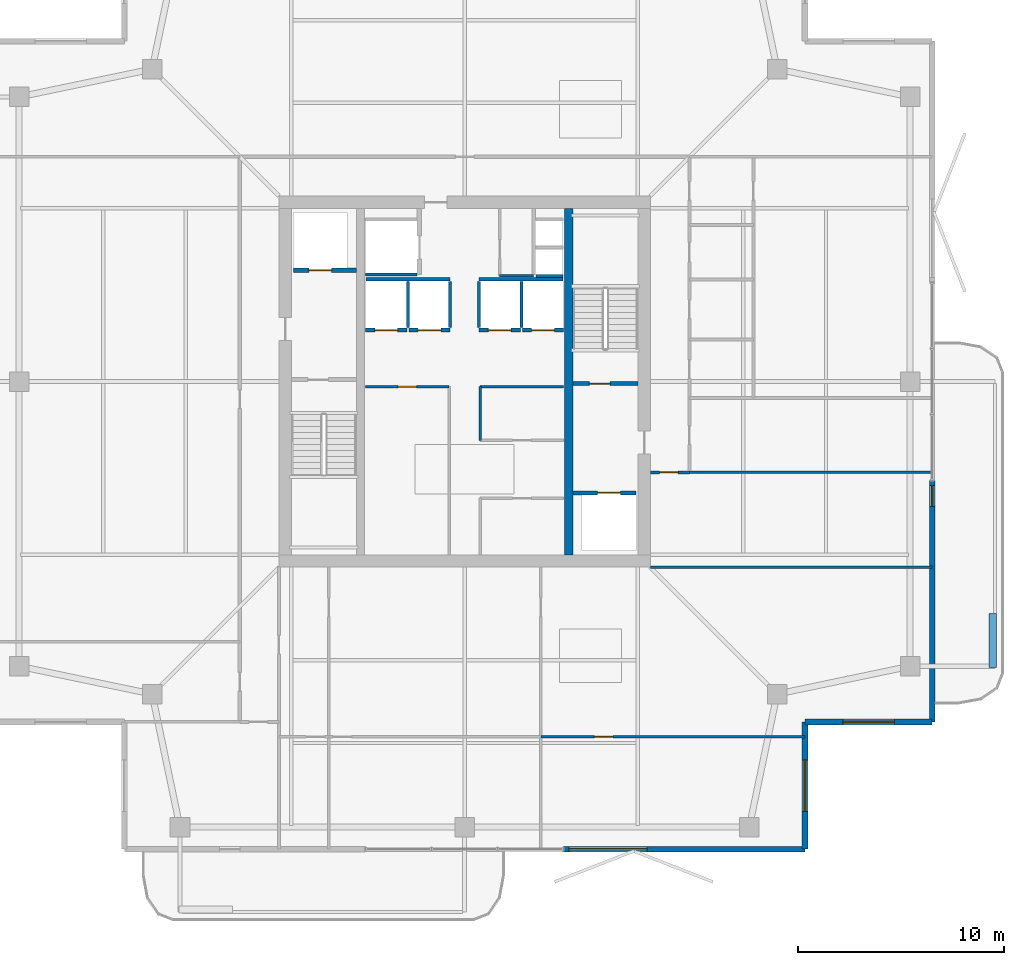
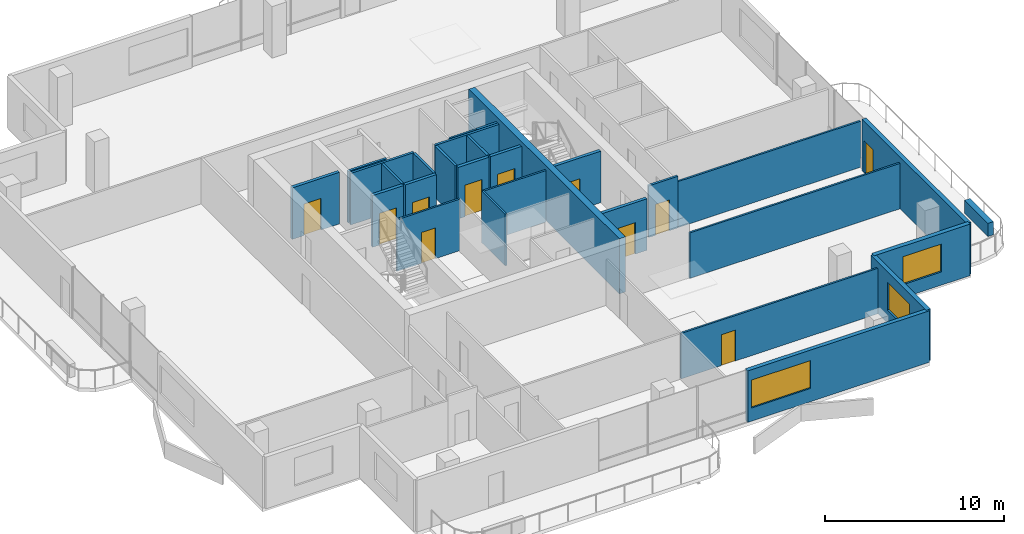
# One storey, part 13 of 17: 29 walls, 11 doors, 3 windows, 14 openings.
"""IFC4 building model written with IfcOpenShell, lengths in metres."""

from ifc_helpers import new_model, si_unit, direction, frame, frame_2d, origin, place, context, subcontext, project, spatial, rectangle, extrude, material, layer, layer_set, type_object, element, fill, save


model = new_model("IFC4")

# Units and contexts
model_context = context("Model", 3, precision=1e-05, world=origin(), true_north=direction((0.0, 1.0)))
body_context = subcontext(model_context, "Body", "Model", "MODEL_VIEW")
ifc_project = project(units=[si_unit("LENGTHUNIT", "METRE"), si_unit("AREAUNIT", "SQUARE_METRE"), si_unit("VOLUMEUNIT", "CUBIC_METRE"), si_unit("PLANEANGLEUNIT", "RADIAN"), si_unit("MASSUNIT", "GRAM", prefix="KILO")], contexts=[model_context])

# Site, building, storey
site_placement = place(None, origin())
site = spatial("IfcSite", under=ifc_project, at=site_placement, CompositionType="ELEMENT")
building_placement = place(site_placement, origin())
building = spatial("IfcBuilding", under=site, at=building_placement, Name="Belovzor Exchange Tower", CompositionType="ELEMENT")
storey_placement = place(building_placement, frame((0.0, 0.0, 325.5)))
storey = spatial("IfcBuildingStorey", under=building, at=storey_placement, Name="L81", CompositionType="ELEMENT", Elevation=325.5)

# Wall, opening, door
ifc_material_1 = material(Name="Acoustic Plasterboard on Galvanised Studs", Category="gypsum")
ifc_layer_1 = layer(ifc_material_1, 0.1201171875)
ifc_layer_set_1 = layer_set([ifc_layer_1], Name="Acoustic Plasterboard on Galvanised Studs")
wall_type_1 = type_object("IfcWallType", Name="Acoustic Double-Stud Partition Wall 120", PredefinedType="PARTITIONING", material=ifc_layer_set_1)
wall_1_placement = place(storey_placement, frame((32.498046875, 11.5791015625, 0.0), z_axis=(0.0, 0.0, 1.0), x_axis=(1.0, 0.0, 0.0)))
wall_1 = element("IfcWall", 1, at=wall_1_placement, inside=storey, type_object=wall_type_1, Name="W-P120 Partition Wall W-L81-SHDIV-2", PredefinedType="PARTITIONING", context=body_context, shape_type="SweptSolid", body=[
    extrude(rectangle(XDim=12.802001953125, YDim=0.1201171875, at=frame_2d((6.40087890625, 0.0))), origin(), (0.0, 0.0, 1.0), 3.094970703125),
])
opening_1_placement = place(wall_1_placement, frame((2.595947265625, 0.0, 0.0)))
opening_1 = element("IfcOpeningElement", 2, at=opening_1_placement, cuts=wall_1, Name="Opening D-INT-090", PredefinedType="OPENING", context=body_context, shape_type="SweptSolid", body=[
    extrude(rectangle(XDim=0.89990234375, YDim=2.10009765625, at=frame_2d((0.449951171875, 1.050048828125))), frame((0.0, 0.070068359375, 0.0), z_axis=(0.0, -1.0, 0.0), x_axis=(1.0, 0.0, 0.0)), (0.0, 0.0, 1.0), 0.14013671875),
])
ifc_material_2 = material(Name="Veneered Hardwood Acoustic Leaf", Category="wood")
door_type_1 = type_object("IfcDoorType", Name="Trading Suite Acoustic Single Door 900x2100", OperationType="NOTDEFINED", PredefinedType="DOOR", material=ifc_material_2)
door_1_placement = place(opening_1_placement, origin())
door_1 = element("IfcDoor", 3, at=door_1_placement, inside=storey, type_object=door_type_1, Name="D-INT-090 Trading Suite Acoustic Single Door 900x2100", OperationType="SINGLE_SWING_LEFT", OverallHeight=2.10009765625, OverallWidth=0.89990234375, PredefinedType="DOOR", context=body_context, shape_type="SweptSolid", body=[
    extrude(rectangle(XDim=0.89990234375, YDim=2.10009765625, at=frame_2d((0.449951171875, 1.050048828125))), frame((0.0, 0.02490234375, 0.0), z_axis=(0.0, -1.0, 0.0), x_axis=(1.0, 0.0, 0.0)), (0.0, 0.0, 1.0), 0.050048828125),
])
fill(opening_1, door_1)

# Walls
wall_2_placement = place(storey_placement, frame((37.800048828125, 19.800048828125, 0.0), z_axis=(0.0, 0.0, 1.0), x_axis=(1.0, 0.0, 0.0)))
element("IfcWall", 4, at=wall_2_placement, inside=storey, type_object=wall_type_1, Name="W-P120 Partition Wall W-L81-ESS", PredefinedType="PARTITIONING", context=body_context, shape_type="SweptSolid", body=[
    extrude(rectangle(XDim=13.669921875, YDim=0.1201171875, at=frame_2d((6.8349609375, 0.0))), origin(), (0.0, 0.0, 1.0), 3.094970703125),
])
wall_3_placement = place(storey_placement, frame((39.699951171875, 24.39990234375, 0.0), z_axis=(0.0, 0.0, 1.0), x_axis=(1.0, 0.0, 0.0)))
element("IfcWall", 5, at=wall_3_placement, inside=storey, type_object=wall_type_1, Name="W-P120 Partition Wall W-L81-ESN", PredefinedType="PARTITIONING", context=body_context, shape_type="SweptSolid", body=[
    extrude(rectangle(XDim=11.77001953125, YDim=0.1201171875, at=frame_2d((5.885009765625, 0.0))), origin(), (0.0, 0.0, 1.0), 3.135009765625),
])
ifc_material_3 = material(Name="Fire-Rated Plasterboard on Galvanised Studs", Category="gypsum")
ifc_layer_2 = layer(ifc_material_3, 0.1201171875)
ifc_layer_set_2 = layer_set([ifc_layer_2], Name="Fire-Rated Plasterboard on Galvanised Studs")
wall_type_2 = type_object("IfcWallType", Name="Fire-Rated Double-Stud Partition Wall 120", PredefinedType="PARTITIONING", material=ifc_layer_set_2)
wall_4_placement = place(storey_placement, frame((30.5, 33.925048828125, 0.0), z_axis=(0.0, 0.0, 1.0), x_axis=(1.0, 0.0, 0.0)))
element("IfcWall", 6, at=wall_4_placement, inside=storey, type_object=wall_type_2, Name="W-P120F Partition Wall W-CRV-L81-S", PredefinedType="PARTITIONING", context=body_context, shape_type="SweptSolid", body=[
    extrude(rectangle(XDim=1.64990234375, YDim=0.1201171875, at=frame_2d((0.824951171875, 0.0))), origin(), (0.0, 0.0, 1.0), 3.510009765625),
])

# Wall, opening, door
wall_5_placement = place(storey_placement, frame((24.0, 28.550048828125, 0.0), z_axis=(0.0, 0.0, 1.0), x_axis=(1.0, 0.0, 0.0)))
wall_5 = element("IfcWall", 7, at=wall_5_placement, inside=storey, type_object=wall_type_2, Name="W-P120F Partition Wall W-CRWB-L81-N", PredefinedType="PARTITIONING", context=body_context, shape_type="SweptSolid", body=[
    extrude(rectangle(XDim=4.050048828125, YDim=0.1201171875, at=frame_2d((2.02490234375, 0.0))), origin(), (0.0, 0.0, 1.0), 3.510009765625),
])
opening_2_placement = place(wall_5_placement, frame((1.574951171875, 0.0, 0.0)))
opening_2 = element("IfcOpeningElement", 8, at=opening_2_placement, cuts=wall_5, Name="Opening D-FD60-090", PredefinedType="OPENING", context=body_context, shape_type="SweptSolid", body=[
    extrude(rectangle(XDim=0.89990234375, YDim=2.10009765625, at=frame_2d((0.449951171875, 1.050048828125))), frame((0.0, 0.070068359375, 0.0), z_axis=(0.0, -1.0, 0.0), x_axis=(1.0, 0.0, 0.0)), (0.0, 0.0, 1.0), 0.14013671875),
])
ifc_material_4 = material(Name="Acoustic Timber Fire Leaf", Category="wood")
door_type_2 = type_object("IfcDoorType", Name="Core Service & Restroom Fire Door 900x2100", OperationType="NOTDEFINED", PredefinedType="DOOR", material=ifc_material_4)
door_2_placement = place(opening_2_placement, origin())
door_2 = element("IfcDoor", 9, at=door_2_placement, inside=storey, type_object=door_type_2, Name="D-FD60-090 Core Service & Restroom Fire Door 900x2100", OperationType="SINGLE_SWING_LEFT", OverallHeight=2.10009765625, OverallWidth=0.89990234375, PredefinedType="DOOR", context=body_context, shape_type="SweptSolid", body=[
    extrude(rectangle(XDim=0.89990234375, YDim=2.10009765625, at=frame_2d((0.449951171875, 1.050048828125))), frame((0.0, 0.02490234375, 0.0), z_axis=(0.0, -1.0, 0.0), x_axis=(1.0, 0.0, 0.0)), (0.0, 0.0, 1.0), 0.050048828125),
])
fill(opening_2, door_2)

# Walls
wall_6_placement = place(storey_placement, frame((29.550048828125, 28.550048828125, 0.0), z_axis=(0.0, 0.0, 1.0), x_axis=(1.0, 0.0, 0.0)))
element("IfcWall", 10, at=wall_6_placement, inside=storey, type_object=wall_type_2, Name="W-P120F Partition Wall W-CRM-L81-EN", PredefinedType="PARTITIONING", context=body_context, shape_type="SweptSolid", body=[
    extrude(rectangle(XDim=4.050048828125, YDim=0.1201171875, at=frame_2d((2.02490234375, 0.0))), origin(), (0.0, 0.0, 1.0), 3.510009765625),
])
wall_7_placement = place(storey_placement, frame((29.550048828125, 25.949951171875, 0.0), z_axis=(0.0, 0.0, 1.0), x_axis=(0.0, 1.0, 0.0)))
element("IfcWall", 11, at=wall_7_placement, inside=storey, type_object=wall_type_2, Name="W-P120F Partition Wall W-CRM-L81-EW", PredefinedType="PARTITIONING", context=body_context, shape_type="SweptSolid", body=[
    extrude(rectangle(XDim=2.60009765625, YDim=0.1201171875, at=frame_2d((1.300048828125, 0.0))), origin(), (0.0, 0.0, 1.0), 3.510009765625),
])

# Wall, opening, door
ifc_material_5 = material(Name="Fire-Rated Gypsum Block and Mineral Wool", Category="gypsum")
ifc_layer_3 = layer(ifc_material_5, 0.14990234375)
ifc_layer_set_3 = layer_set([ifc_layer_3], Name="Fire-Rated Gypsum Block and Mineral Wool")
wall_type_3 = type_object("IfcWallType", Name="Fire-Rated Gypsum Block Corridor Wall 150", PredefinedType="PARTITIONING", material=ifc_layer_set_3)
wall_8_placement = place(storey_placement, frame((37.800048828125, 24.39990234375, 0.0), z_axis=(0.0, 0.0, 1.0), x_axis=(1.0, 0.0, 0.0)))
wall_8 = element("IfcWall", 12, at=wall_8_placement, inside=storey, type_object=wall_type_3, Name="W-P150 Partition Wall W-L81-CE-END", PredefinedType="PARTITIONING", context=body_context, shape_type="SweptSolid", body=[
    extrude(rectangle(XDim=1.89990234375, YDim=0.14990234375, at=frame_2d((0.949951171875, 0.0))), origin(), (0.0, 0.0, 1.0), 3.510009765625),
])
opening_3_placement = place(wall_8_placement, frame((0.449951171875, 0.0, 0.0)))
opening_3 = element("IfcOpeningElement", 13, at=opening_3_placement, cuts=wall_8, Name="Opening D-FD60-090", PredefinedType="OPENING", context=body_context, shape_type="SweptSolid", body=[
    extrude(rectangle(XDim=0.89990234375, YDim=2.10009765625, at=frame_2d((0.449951171875, 1.050048828125))), frame((0.0, 0.0849609375, 0.0), z_axis=(0.0, -1.0, 0.0), x_axis=(1.0, 0.0, 0.0)), (0.0, 0.0, 1.0), 0.169921875),
])
door_3_placement = place(opening_3_placement, origin())
door_3 = element("IfcDoor", 14, at=door_3_placement, inside=storey, type_object=door_type_2, Name="D-FD60-090 Core Service & Restroom Fire Door 900x2100", OperationType="SINGLE_SWING_LEFT", OverallHeight=2.10009765625, OverallWidth=0.89990234375, PredefinedType="DOOR", context=body_context, shape_type="SweptSolid", body=[
    extrude(rectangle(XDim=0.89990234375, YDim=2.10009765625, at=frame_2d((0.449951171875, 1.050048828125))), frame((0.0, 0.02490234375, 0.0), z_axis=(0.0, -1.0, 0.0), x_axis=(1.0, 0.0, 0.0)), (0.0, 0.0, 1.0), 0.050048828125),
])
fill(opening_3, door_3)

# Wall, opening, window
ifc_material_6 = material(Name="Precast concrete C40/50", Category="concrete")
ifc_layer_4 = layer(ifc_material_6, 0.280029296875)
ifc_layer_set_4 = layer_set([ifc_layer_4], Name="Precast concrete C40/50")
wall_type_4 = type_object("IfcWallType", Name="Precast Concrete Notched Corner Frame Wall 280", PredefinedType="SOLIDWALL", material=ifc_layer_set_4)
wall_9_placement = place(storey_placement, frame((51.469970703125, 12.300048828125, 0.0), z_axis=(0.0, 0.0, 1.0), x_axis=(-1.0, 0.0, 0.0)))
wall_9 = element("IfcWall", 15, at=wall_9_placement, inside=storey, type_object=wall_type_4, Name="W-CRN280 Precast Concrete Notched Corner Frame Wall 280 L81", PredefinedType="SOLIDWALL", context=body_context, shape_type="SweptSolid", body=[
    extrude(rectangle(XDim=6.169921875, YDim=0.280029296875, at=frame_2d((3.0849609375, 0.0))), origin(), (0.0, 0.0, 1.0), 3.510009765625),
])
opening_4_placement = place(wall_9_placement, frame((1.8349609375, 0.0, 0.89990234375)))
opening_4 = element("IfcOpeningElement", 16, at=opening_4_placement, cuts=wall_9, Name="Opening WN-CRN250", PredefinedType="OPENING", context=body_context, shape_type="SweptSolid", body=[
    extrude(rectangle(XDim=2.5, YDim=1.89990234375, at=frame_2d((1.25, 0.949951171875))), frame((0.0, 0.14990234375, 0.0), z_axis=(0.0, -1.0, 0.0), x_axis=(1.0, 0.0, 0.0)), (0.0, 0.0, 1.0), 0.300048828125),
])
ifc_material_7 = material(Name="Thermally Broken Aluminium and Triple Glazing", Category="aluminium")
window_type_1 = type_object("IfcWindowType", Name="Streamline Moderne Corner Wrap Ribbon Window 2500x1900", PartitioningType="SINGLE_PANEL", PredefinedType="WINDOW", material=ifc_material_7)
window_1_placement = place(opening_4_placement, origin())
window_1 = element("IfcWindow", 17, at=window_1_placement, inside=storey, type_object=window_type_1, Name="WN-CRN250 Streamline Moderne Corner Wrap Ribbon Window 2500x1900", OverallHeight=1.89990234375, OverallWidth=2.5, PartitioningType="SINGLE_PANEL", PredefinedType="WINDOW", context=body_context, shape_type="SweptSolid", body=[
    extrude(rectangle(XDim=2.5, YDim=1.89990234375, at=frame_2d((1.25, 0.949951171875))), frame((0.0, 0.030029296875, 0.0), z_axis=(0.0, -1.0, 0.0), x_axis=(1.0, 0.0, 0.0)), (0.0, 0.0, 1.0), 0.06005859375),
])
fill(opening_4, window_1)

wall_10_placement = place(storey_placement, frame((45.300048828125, 12.300048828125, 0.0), z_axis=(0.0, 0.0, 1.0), x_axis=(0.0, -1.0, 0.0)))
wall_10 = element("IfcWall", 18, at=wall_10_placement, inside=storey, type_object=wall_type_4, Name="W-CRN280 Precast Concrete Notched Corner Frame Wall 280 L81", PredefinedType="SOLIDWALL", context=body_context, shape_type="SweptSolid", body=[
    extrude(rectangle(XDim=6.170166015625, YDim=0.280029296875, at=frame_2d((3.0849609375, 0.0))), origin(), (0.0, 0.0, 1.0), 3.510009765625),
])
opening_5_placement = place(wall_10_placement, frame((1.8349609375, 0.0, 0.89990234375)))
opening_5 = element("IfcOpeningElement", 19, at=opening_5_placement, cuts=wall_10, Name="Opening WN-CRN250", PredefinedType="OPENING", context=body_context, shape_type="SweptSolid", body=[
    extrude(rectangle(XDim=2.5, YDim=1.89990234375, at=frame_2d((1.25, 0.949951171875))), frame((0.0, 0.14990234375, 0.0), z_axis=(0.0, -1.0, 0.0), x_axis=(1.0, 0.0, 0.0)), (0.0, 0.0, 1.0), 0.300048828125),
])
window_2_placement = place(opening_5_placement, origin())
window_2 = element("IfcWindow", 20, at=window_2_placement, inside=storey, type_object=window_type_1, Name="WN-CRN250 Streamline Moderne Corner Wrap Ribbon Window 2500x1900", OverallHeight=1.89990234375, OverallWidth=2.5, PartitioningType="SINGLE_PANEL", PredefinedType="WINDOW", context=body_context, shape_type="SweptSolid", body=[
    extrude(rectangle(XDim=2.5, YDim=1.89990234375, at=frame_2d((1.25, 0.949951171875))), frame((0.0, 0.030029296875, 0.0), z_axis=(0.0, -1.0, 0.0), x_axis=(1.0, 0.0, 0.0)), (0.0, 0.0, 1.0), 0.06005859375),
])
fill(opening_5, window_2)

ifc_material_8 = material(Name="Precast concrete C40/50", Category="concrete")
ifc_layer_5 = layer(ifc_material_8, 0.260009765625)
ifc_layer_set_5 = layer_set([ifc_layer_5], Name="Precast concrete C40/50")
wall_type_5 = type_object("IfcWallType", Name="Precast Concrete Perimeter Loggia Frame Wall 260", PredefinedType="SOLIDWALL", material=ifc_layer_set_5)
wall_11_placement = place(storey_placement, frame((45.300048828125, 6.1298828125, 0.0), z_axis=(0.0, 0.0, 1.0), x_axis=(-1.0, 0.0, 0.0)))
wall_11 = element("IfcWall", 21, at=wall_11_placement, inside=storey, type_object=wall_type_5, Name="W-EXT260 Precast Concrete Perimeter Loggia Frame Wall 260 L81", PredefinedType="SOLIDWALL", context=body_context, shape_type="SweptSolid", body=[
    extrude(rectangle(XDim=11.699951171875, YDim=0.260009765625, at=frame_2d((5.85009765625, 0.0))), origin(), (0.0, 0.0, 1.0), 3.510009765625),
])
opening_6_placement = place(wall_11_placement, frame((7.64990234375, 0.0, 0.89990234375)))
opening_6 = element("IfcOpeningElement", 22, at=opening_6_placement, cuts=wall_11, Name="Opening WN-RIB380", PredefinedType="OPENING", context=body_context, shape_type="SweptSolid", body=[
    extrude(rectangle(XDim=3.800048828125, YDim=1.89990234375, at=frame_2d((1.89990234375, 0.949951171875))), frame((0.0, 0.139892578125, 0.0), z_axis=(0.0, -1.0, 0.0), x_axis=(1.0, 0.0, 0.0)), (0.0, 0.0, 1.0), 0.280029296875),
])
ifc_material_9 = material(Name="Thermally Broken Aluminium and Triple Glazing", Category="aluminium")
window_type_2 = type_object("IfcWindowType", Name="Streamline Moderne Horizontal Ribbon Window 3800x1900", PartitioningType="SINGLE_PANEL", PredefinedType="WINDOW", material=ifc_material_9)
window_3_placement = place(opening_6_placement, origin())
window_3 = element("IfcWindow", 23, at=window_3_placement, inside=storey, type_object=window_type_2, Name="WN-RIB380 Streamline Moderne Horizontal Ribbon Window 3800x1900", OverallHeight=1.89990234375, OverallWidth=3.800048828125, PartitioningType="SINGLE_PANEL", PredefinedType="WINDOW", context=body_context, shape_type="SweptSolid", body=[
    extrude(rectangle(XDim=3.800048828125, YDim=1.89990234375, at=frame_2d((1.89990234375, 0.949951171875))), frame((0.0, 0.030029296875, 0.0), z_axis=(0.0, -1.0, 0.0), x_axis=(1.0, 0.0, 0.0)), (0.0, 0.0, 1.0), 0.06005859375),
])
fill(opening_6, window_3)

# Wall, opening, door
wall_12_placement = place(storey_placement, frame((51.469970703125, 24.0, 0.0), z_axis=(0.0, 0.0, 1.0), x_axis=(0.0, -1.0, 0.0)))
wall_12 = element("IfcWall", 24, at=wall_12_placement, inside=storey, type_object=wall_type_5, Name="W-EXT260 Precast Concrete Perimeter Loggia Frame Wall 260 L81", PredefinedType="SOLIDWALL", context=body_context, shape_type="SweptSolid", body=[
    extrude(rectangle(XDim=11.699951171875, YDim=0.260009765625, at=frame_2d((5.85009765625, 0.0))), origin(), (0.0, 0.0, 1.0), 3.510009765625),
])
opening_7_placement = place(wall_12_placement, frame((0.25, 0.0, 0.0)))
opening_7 = element("IfcOpeningElement", 25, at=opening_7_placement, cuts=wall_12, Name="Opening D-BAL100", PredefinedType="OPENING", context=body_context, shape_type="SweptSolid", body=[
    extrude(rectangle(XDim=1.0, YDim=2.199951171875, at=frame_2d((0.5, 1.10009765625))), frame((0.0, 0.139892578125, 0.0), z_axis=(0.0, -1.0, 0.0), x_axis=(1.0, 0.0, 0.0)), (0.0, 0.0, 1.0), 0.280029296875),
])
ifc_material_10 = material(Name="Thermally Broken Anodised Aluminium and Laminated Glass", Category="aluminium")
door_type_3 = type_object("IfcDoorType", Name="Planted Loggia Terrace Glazed Door 1000x2200", OperationType="SINGLE_SWING_LEFT", PredefinedType="DOOR", material=ifc_material_10)
door_4_placement = place(opening_7_placement, origin())
door_4 = element("IfcDoor", 26, at=door_4_placement, inside=storey, type_object=door_type_3, Name="D-BAL100 Balcony Terrace Door L81 E", OperationType="SINGLE_SWING_LEFT", OverallHeight=2.199951171875, OverallWidth=1.0, PredefinedType="DOOR", context=body_context, shape_type="SweptSolid", body=[
    extrude(rectangle(XDim=1.0, YDim=2.199951171875, at=frame_2d((0.5, 1.10009765625))), frame((0.0, 0.02490234375, 0.0), z_axis=(0.0, -1.0, 0.0), x_axis=(1.0, 0.0, 0.0)), (0.0, 0.0, 1.0), 0.050048828125),
])
fill(opening_7, door_4)

# Walls
ifc_material_11 = material(Name="Precast concrete C40/50", Category="concrete")
ifc_layer_6 = layer(ifc_material_11, 0.35009765625)
ifc_layer_set_6 = layer_set([ifc_layer_6], Name="Precast concrete C40/50")
wall_type_6 = type_object("IfcWallType", Name="Precast Concrete Structural Tree Planter Trough 350", PredefinedType="PARAPET", material=ifc_layer_set_6)
wall_13_placement = place(storey_placement, frame((54.39990234375, 14.949951171875, 0.0), z_axis=(0.0, 0.0, 1.0), x_axis=(0.0, 1.0, 0.0)))
element("IfcWall", 27, at=wall_13_placement, inside=storey, type_object=wall_type_6, Name="PT-350 Precast Concrete Structural Tree Planter Trough 350 L81", PredefinedType="PARAPET", context=body_context, shape_type="SweptSolid", body=[
    extrude(rectangle(XDim=2.60009765625, YDim=0.35009765625, at=frame_2d((1.300048828125, 0.0))), origin(), (0.0, 0.0, 1.0), 0.89990234375),
])
ifc_material_12 = material(Name="Concrete C50/60", Category="concrete")
ifc_layer_7 = layer(ifc_material_12, 0.39990234375)
ifc_layer_set_7 = layer_set([ifc_layer_7], Name="Concrete C50/60")
wall_type_7 = type_object("IfcWallType", Name="Reinforced Concrete Core Internal Web Wall 400", PredefinedType="SHEAR", material=ifc_layer_set_7)
wall_14_placement = place(storey_placement, frame((33.85009765625, 20.39990234375, 0.0), z_axis=(0.0, 0.0, 1.0), x_axis=(0.0, 1.0, 0.0)))
element("IfcWall", 28, at=wall_14_placement, inside=storey, type_object=wall_type_7, Name="CW-W040 Core Internal Web Wall L81 ER", PredefinedType="SHEAR", context=body_context, shape_type="SweptSolid", body=[
    extrude(rectangle(XDim=16.800048828125, YDim=0.39990234375, at=frame_2d((8.39990234375, 0.0))), origin(), (0.0, 0.0, 1.0), 3.75),
])
ifc_material_13 = material(Name="Concrete C50/60", Category="concrete")
ifc_layer_8 = layer(ifc_material_13, 0.14990234375)
ifc_layer_set_8 = layer_set([ifc_layer_8], Name="Concrete C50/60")
wall_type_8 = type_object("IfcWallType", Name="Reinforced Concrete Core Riser Shear Wall 150", PredefinedType="SHEAR", material=ifc_layer_set_8)
wall_15_placement = place(storey_placement, frame((32.25, 33.925048828125, 0.0), z_axis=(0.0, 0.0, 1.0), x_axis=(1.0, 0.0, 0.0)))
element("IfcWall", 29, at=wall_15_placement, inside=storey, type_object=wall_type_8, Name="W-C150S Core Shaft Wall W-RSR-L81-S", PredefinedType="SHEAR", context=body_context, shape_type="SweptSolid", body=[
    extrude(rectangle(XDim=1.330078125, YDim=0.14990234375, at=frame_2d((0.6650390625, 0.0))), origin(), (0.0, 0.0, 1.0), 3.510009765625),
])
wall_16_placement = place(storey_placement, frame((24.0, 34.0, 0.0), z_axis=(0.0, 0.0, 1.0), x_axis=(1.0, 0.0, 0.0)))
element("IfcWall", 30, at=wall_16_placement, inside=storey, type_object=wall_type_8, Name="W-C150S Core Shaft Wall W-SH-L81-SL-01S", PredefinedType="SHEAR", context=body_context, shape_type="SweptSolid", body=[
    extrude(rectangle(XDim=2.47998046875, YDim=0.14990234375, at=frame_2d((1.239990234375, 0.0))), origin(), (0.0, 0.0, 1.0), 3.510009765625),
])
for number, where, z_axis, x_axis, name in (
    (31, (24.02001953125, 33.760009765625, 0.0), (0.0, 0.0, 1.0), (1.0, 0.0, 0.0), "W-C150S Core Shaft Wall W-SHB-L81-PLH-NW"),
    (32, (29.5, 33.760009765625, 0.0), (0.0, 0.0, 1.0), (1.0, 0.0, 0.0), "W-C150S Core Shaft Wall W-SHB-L81-PLH-NE"),
):
    element("IfcWall", number, at=place(storey_placement, frame(where, z_axis=z_axis, x_axis=x_axis)), inside=storey, type_object=wall_type_8, Name=name, PredefinedType="SHEAR", context=body_context, shape_type="SweptSolid", body=[
        extrude(rectangle(XDim=4.080078125, YDim=0.14990234375, at=frame_2d((2.0400390625, 0.0))), origin(), (0.0, 0.0, 1.0), 3.510009765625),
    ])
for number, where, z_axis, x_axis, name in (
    (33, (26.050048828125, 31.419921875, 0.0), (0.0, 0.0, 1.0), (0.0, 1.0, 0.0), "W-C150S Core Shaft Wall W-SHD-L81-PLH-1"),
    (34, (28.10009765625, 31.419921875, 0.0), (0.0, 0.0, 1.0), (0.0, 1.0, 0.0), "W-C150S Core Shaft Wall W-SHD-L81-PLH-2"),
    (35, (29.5, 31.419921875, 0.0), (0.0, 0.0, 1.0), (0.0, 1.0, 0.0), "W-C150S Core Shaft Wall W-SHD-L81-PLH-3"),
    (36, (31.550048828125, 31.419921875, 0.0), (0.0, 0.0, 1.0), (0.0, 1.0, 0.0), "W-C150S Core Shaft Wall W-SHD-L81-PLH-4"),
):
    element("IfcWall", number, at=place(storey_placement, frame(where, z_axis=z_axis, x_axis=x_axis)), inside=storey, type_object=wall_type_8, Name=name, PredefinedType="SHEAR", context=body_context, shape_type="SweptSolid", body=[
        extrude(rectangle(XDim=2.239990234375, YDim=0.14990234375, at=frame_2d((1.1201171875, 0.0))), origin(), (0.0, 0.0, 1.0), 3.510009765625),
    ])

# Wall, opening, door
ifc_material_14 = material(Name="Concrete C50/60", Category="concrete")
ifc_layer_9 = layer(ifc_material_14, 0.199951171875)
ifc_layer_set_9 = layer_set([ifc_layer_9], Name="Concrete C50/60")
wall_type_9 = type_object("IfcWallType", Name="Reinforced Concrete Core Shaft Shear Wall 200", PredefinedType="SHEAR", material=ifc_layer_set_9)
wall_17_placement = place(storey_placement, frame((34.050048828125, 28.699951171875, 0.0), z_axis=(0.0, 0.0, 1.0), x_axis=(1.0, 0.0, 0.0)))
wall_17 = element("IfcWall", 37, at=wall_17_placement, inside=storey, type_object=wall_type_9, Name="W-C200S Core Shaft Wall W-CORE-L81-FFLE2", PredefinedType="SHEAR", context=body_context, shape_type="SweptSolid", body=[
    extrude(rectangle(XDim=3.14990234375, YDim=0.199951171875, at=frame_2d((1.574951171875, 0.0))), origin(), (0.0, 0.0, 1.0), 3.510009765625),
])
opening_8_placement = place(wall_17_placement, frame((0.800048828125, 0.0, 0.0)))
opening_8 = element("IfcOpeningElement", 38, at=opening_8_placement, cuts=wall_17, Name="Opening D-FD90-100", PredefinedType="OPENING", context=body_context, shape_type="SweptSolid", body=[
    extrude(rectangle(XDim=1.0, YDim=2.10009765625, at=frame_2d((0.5, 1.050048828125))), frame((0.0, 0.10986328125, 0.0), z_axis=(0.0, -1.0, 0.0), x_axis=(1.0, 0.0, 0.0)), (0.0, 0.0, 1.0), 0.219970703125),
])
ifc_material_15 = material(Name="Fire-Rated Galvanised Steel Leaf", Category="steel")
door_type_4 = type_object("IfcDoorType", Name="Protected Stairwell Single Fire Door 1000x2100", OperationType="NOTDEFINED", PredefinedType="DOOR", material=ifc_material_15)
door_5_placement = place(opening_8_placement, origin())
door_5 = element("IfcDoor", 39, at=door_5_placement, inside=storey, type_object=door_type_4, Name="D-FD90-100 Protected Stairwell Single Fire Door 1000x2100", OperationType="SINGLE_SWING_LEFT", OverallHeight=2.10009765625, OverallWidth=1.0, PredefinedType="DOOR", context=body_context, shape_type="SweptSolid", body=[
    extrude(rectangle(XDim=1.0, YDim=2.10009765625, at=frame_2d((0.5, 1.050048828125))), frame((0.0, 0.02490234375, 0.0), z_axis=(0.0, -1.0, 0.0), x_axis=(1.0, 0.0, 0.0)), (0.0, 0.0, 1.0), 0.050048828125),
])
fill(opening_8, door_5)

wall_18_placement = place(storey_placement, frame((20.5, 34.199951171875, 0.0), z_axis=(0.0, 0.0, 1.0), x_axis=(1.0, 0.0, 0.0)))
wall_18 = element("IfcWall", 40, at=wall_18_placement, inside=storey, type_object=wall_type_9, Name="W-C200S Core Shaft Wall W-SH-L81-FFL-01", PredefinedType="SHEAR", context=body_context, shape_type="SweptSolid", body=[
    extrude(rectangle(XDim=3.050048828125, YDim=0.199951171875, at=frame_2d((1.52490234375, 0.0))), origin(), (0.0, 0.0, 1.0), 3.510009765625),
])
opening_9_placement = place(wall_18_placement, frame((0.75, 0.0, 0.0)))
opening_9 = element("IfcOpeningElement", 41, at=opening_9_placement, cuts=wall_18, Name="Opening LD-110", PredefinedType="OPENING", context=body_context, shape_type="SweptSolid", body=[
    extrude(rectangle(XDim=1.10009765625, YDim=2.14990234375, at=frame_2d((0.550048828125, 1.074951171875))), frame((0.0, 0.10986328125, 0.0), z_axis=(0.0, -1.0, 0.0), x_axis=(1.0, 0.0, 0.0)), (0.0, 0.0, 1.0), 0.219970703125),
])
ifc_material_16 = material(Name="Stainless Steel Grade 304", Category="steel")
door_type_5 = type_object("IfcDoorType", Name="Automated Stainless Steel Lift Landing Door 1100x2150", OperationType="SLIDING_TO_RIGHT", PredefinedType="DOOR", material=ifc_material_16)
door_6_placement = place(opening_9_placement, origin())
door_6 = element("IfcDoor", 42, at=door_6_placement, inside=storey, type_object=door_type_5, Name="LD-110 Automated Stainless Steel Lift Landing Door 1100x2150", OperationType="SLIDING_TO_RIGHT", OverallHeight=2.14990234375, OverallWidth=1.10009765625, PredefinedType="DOOR", context=body_context, shape_type="SweptSolid", body=[
    extrude(rectangle(XDim=1.10009765625, YDim=2.14990234375, at=frame_2d((0.550048828125, 1.074951171875))), frame((0.0, 0.02490234375, 0.0), z_axis=(0.0, -1.0, 0.0), x_axis=(1.0, 0.0, 0.0)), (0.0, 0.0, 1.0), 0.050048828125),
])
fill(opening_9, door_6)

wall_19_placement = place(storey_placement, frame((34.050048828125, 23.39990234375, 0.0), z_axis=(0.0, 0.0, 1.0), x_axis=(1.0, 0.0, 0.0)))
wall_19 = element("IfcWall", 43, at=wall_19_placement, inside=storey, type_object=wall_type_9, Name="W-C200S Core Shaft Wall W-SH-L81-FFL-02", PredefinedType="SHEAR", context=body_context, shape_type="SweptSolid", body=[
    extrude(rectangle(XDim=3.050048828125, YDim=0.199951171875, at=frame_2d((1.52490234375, 0.0))), origin(), (0.0, 0.0, 1.0), 3.510009765625),
])
opening_10_placement = place(wall_19_placement, frame((1.199951171875, 0.0, 0.0)))
opening_10 = element("IfcOpeningElement", 44, at=opening_10_placement, cuts=wall_19, Name="Opening LD-110", PredefinedType="OPENING", context=body_context, shape_type="SweptSolid", body=[
    extrude(rectangle(XDim=1.10009765625, YDim=2.14990234375, at=frame_2d((0.550048828125, 1.074951171875))), frame((0.0, 0.10986328125, 0.0), z_axis=(0.0, -1.0, 0.0), x_axis=(1.0, 0.0, 0.0)), (0.0, 0.0, 1.0), 0.219970703125),
])
door_7_placement = place(opening_10_placement, origin())
door_7 = element("IfcDoor", 45, at=door_7_placement, inside=storey, type_object=door_type_5, Name="LD-110 Automated Stainless Steel Lift Landing Door 1100x2150", OperationType="SLIDING_TO_RIGHT", OverallHeight=2.14990234375, OverallWidth=1.10009765625, PredefinedType="DOOR", context=body_context, shape_type="SweptSolid", body=[
    extrude(rectangle(XDim=1.10009765625, YDim=2.14990234375, at=frame_2d((0.550048828125, 1.074951171875))), frame((0.0, 0.02490234375, 0.0), z_axis=(0.0, -1.0, 0.0), x_axis=(1.0, 0.0, 0.0)), (0.0, 0.0, 1.0), 0.050048828125),
])
fill(opening_10, door_7)

wall_20_placement = place(storey_placement, frame((24.0, 31.300048828125, 0.0), z_axis=(0.0, 0.0, 1.0), x_axis=(1.0, 0.0, 0.0)))
wall_20 = element("IfcWall", 46, at=wall_20_placement, inside=storey, type_object=wall_type_9, Name="W-C200S Core Shaft Wall W-SH-L81-PL-H1", PredefinedType="SHEAR", context=body_context, shape_type="SweptSolid", body=[
    extrude(rectangle(XDim=2.0, YDim=0.199951171875, at=frame_2d((1.0, 0.0))), origin(), (0.0, 0.0, 1.0), 3.510009765625),
])
opening_11_placement = place(wall_20_placement, frame((0.449951171875, 0.0, 0.0)))
opening_11 = element("IfcOpeningElement", 47, at=opening_11_placement, cuts=wall_20, Name="Opening LD-110", PredefinedType="OPENING", context=body_context, shape_type="SweptSolid", body=[
    extrude(rectangle(XDim=1.10009765625, YDim=2.14990234375, at=frame_2d((0.550048828125, 1.074951171875))), frame((0.0, 0.10986328125, 0.0), z_axis=(0.0, -1.0, 0.0), x_axis=(1.0, 0.0, 0.0)), (0.0, 0.0, 1.0), 0.219970703125),
])
door_8_placement = place(opening_11_placement, origin())
door_8 = element("IfcDoor", 48, at=door_8_placement, inside=storey, type_object=door_type_5, Name="LD-110 Automated Stainless Steel Lift Landing Door 1100x2150", OperationType="SLIDING_TO_RIGHT", OverallHeight=2.14990234375, OverallWidth=1.10009765625, PredefinedType="DOOR", context=body_context, shape_type="SweptSolid", body=[
    extrude(rectangle(XDim=1.10009765625, YDim=2.14990234375, at=frame_2d((0.550048828125, 1.074951171875))), frame((0.0, 0.02490234375, 0.0), z_axis=(0.0, -1.0, 0.0), x_axis=(1.0, 0.0, 0.0)), (0.0, 0.0, 1.0), 0.050048828125),
])
fill(opening_11, door_8)

wall_21_placement = place(storey_placement, frame((26.10009765625, 31.300048828125, 0.0), z_axis=(0.0, 0.0, 1.0), x_axis=(1.0, 0.0, 0.0)))
wall_21 = element("IfcWall", 49, at=wall_21_placement, inside=storey, type_object=wall_type_9, Name="W-C200S Core Shaft Wall W-SH-L81-PL-H2", PredefinedType="SHEAR", context=body_context, shape_type="SweptSolid", body=[
    extrude(rectangle(XDim=2.0, YDim=0.199951171875, at=frame_2d((1.0, 0.0))), origin(), (0.0, 0.0, 1.0), 3.510009765625),
])
opening_12_placement = place(wall_21_placement, frame((0.449951171875, 0.0, 0.0)))
opening_12 = element("IfcOpeningElement", 50, at=opening_12_placement, cuts=wall_21, Name="Opening LD-110", PredefinedType="OPENING", context=body_context, shape_type="SweptSolid", body=[
    extrude(rectangle(XDim=1.10009765625, YDim=2.14990234375, at=frame_2d((0.550048828125, 1.074951171875))), frame((0.0, 0.10986328125, 0.0), z_axis=(0.0, -1.0, 0.0), x_axis=(1.0, 0.0, 0.0)), (0.0, 0.0, 1.0), 0.219970703125),
])
door_9_placement = place(opening_12_placement, origin())
door_9 = element("IfcDoor", 51, at=door_9_placement, inside=storey, type_object=door_type_5, Name="LD-110 Automated Stainless Steel Lift Landing Door 1100x2150", OperationType="SLIDING_TO_RIGHT", OverallHeight=2.14990234375, OverallWidth=1.10009765625, PredefinedType="DOOR", context=body_context, shape_type="SweptSolid", body=[
    extrude(rectangle(XDim=1.10009765625, YDim=2.14990234375, at=frame_2d((0.550048828125, 1.074951171875))), frame((0.0, 0.02490234375, 0.0), z_axis=(0.0, -1.0, 0.0), x_axis=(1.0, 0.0, 0.0)), (0.0, 0.0, 1.0), 0.050048828125),
])
fill(opening_12, door_9)

wall_22_placement = place(storey_placement, frame((29.5, 31.300048828125, 0.0), z_axis=(0.0, 0.0, 1.0), x_axis=(1.0, 0.0, 0.0)))
wall_22 = element("IfcWall", 52, at=wall_22_placement, inside=storey, type_object=wall_type_9, Name="W-C200S Core Shaft Wall W-SH-L81-PL-H3", PredefinedType="SHEAR", context=body_context, shape_type="SweptSolid", body=[
    extrude(rectangle(XDim=2.0, YDim=0.199951171875, at=frame_2d((1.0, 0.0))), origin(), (0.0, 0.0, 1.0), 3.510009765625),
])
opening_13_placement = place(wall_22_placement, frame((0.449951171875, 0.0, 0.0)))
opening_13 = element("IfcOpeningElement", 53, at=opening_13_placement, cuts=wall_22, Name="Opening LD-110", PredefinedType="OPENING", context=body_context, shape_type="SweptSolid", body=[
    extrude(rectangle(XDim=1.10009765625, YDim=2.14990234375, at=frame_2d((0.550048828125, 1.074951171875))), frame((0.0, 0.10986328125, 0.0), z_axis=(0.0, -1.0, 0.0), x_axis=(1.0, 0.0, 0.0)), (0.0, 0.0, 1.0), 0.219970703125),
])
door_10_placement = place(opening_13_placement, origin())
door_10 = element("IfcDoor", 54, at=door_10_placement, inside=storey, type_object=door_type_5, Name="LD-110 Automated Stainless Steel Lift Landing Door 1100x2150", OperationType="SLIDING_TO_RIGHT", OverallHeight=2.14990234375, OverallWidth=1.10009765625, PredefinedType="DOOR", context=body_context, shape_type="SweptSolid", body=[
    extrude(rectangle(XDim=1.10009765625, YDim=2.14990234375, at=frame_2d((0.550048828125, 1.074951171875))), frame((0.0, 0.02490234375, 0.0), z_axis=(0.0, -1.0, 0.0), x_axis=(1.0, 0.0, 0.0)), (0.0, 0.0, 1.0), 0.050048828125),
])
fill(opening_13, door_10)

wall_23_placement = place(storey_placement, frame((31.60009765625, 31.300048828125, 0.0), z_axis=(0.0, 0.0, 1.0), x_axis=(1.0, 0.0, 0.0)))
wall_23 = element("IfcWall", 55, at=wall_23_placement, inside=storey, type_object=wall_type_9, Name="W-C200S Core Shaft Wall W-SH-L81-PL-H4", PredefinedType="SHEAR", context=body_context, shape_type="SweptSolid", body=[
    extrude(rectangle(XDim=2.0, YDim=0.199951171875, at=frame_2d((1.0, 0.0))), origin(), (0.0, 0.0, 1.0), 3.510009765625),
])
opening_14_placement = place(wall_23_placement, frame((0.449951171875, 0.0, 0.0)))
opening_14 = element("IfcOpeningElement", 56, at=opening_14_placement, cuts=wall_23, Name="Opening LD-110", PredefinedType="OPENING", context=body_context, shape_type="SweptSolid", body=[
    extrude(rectangle(XDim=1.10009765625, YDim=2.14990234375, at=frame_2d((0.550048828125, 1.074951171875))), frame((0.0, 0.10986328125, 0.0), z_axis=(0.0, -1.0, 0.0), x_axis=(1.0, 0.0, 0.0)), (0.0, 0.0, 1.0), 0.219970703125),
])
door_11_placement = place(opening_14_placement, origin())
door_11 = element("IfcDoor", 57, at=door_11_placement, inside=storey, type_object=door_type_5, Name="LD-110 Automated Stainless Steel Lift Landing Door 1100x2150", OperationType="SLIDING_TO_RIGHT", OverallHeight=2.14990234375, OverallWidth=1.10009765625, PredefinedType="DOOR", context=body_context, shape_type="SweptSolid", body=[
    extrude(rectangle(XDim=1.10009765625, YDim=2.14990234375, at=frame_2d((0.550048828125, 1.074951171875))), frame((0.0, 0.02490234375, 0.0), z_axis=(0.0, -1.0, 0.0), x_axis=(1.0, 0.0, 0.0)), (0.0, 0.0, 1.0), 0.050048828125),
])
fill(opening_14, door_11)

save(model, "model.ifc")
